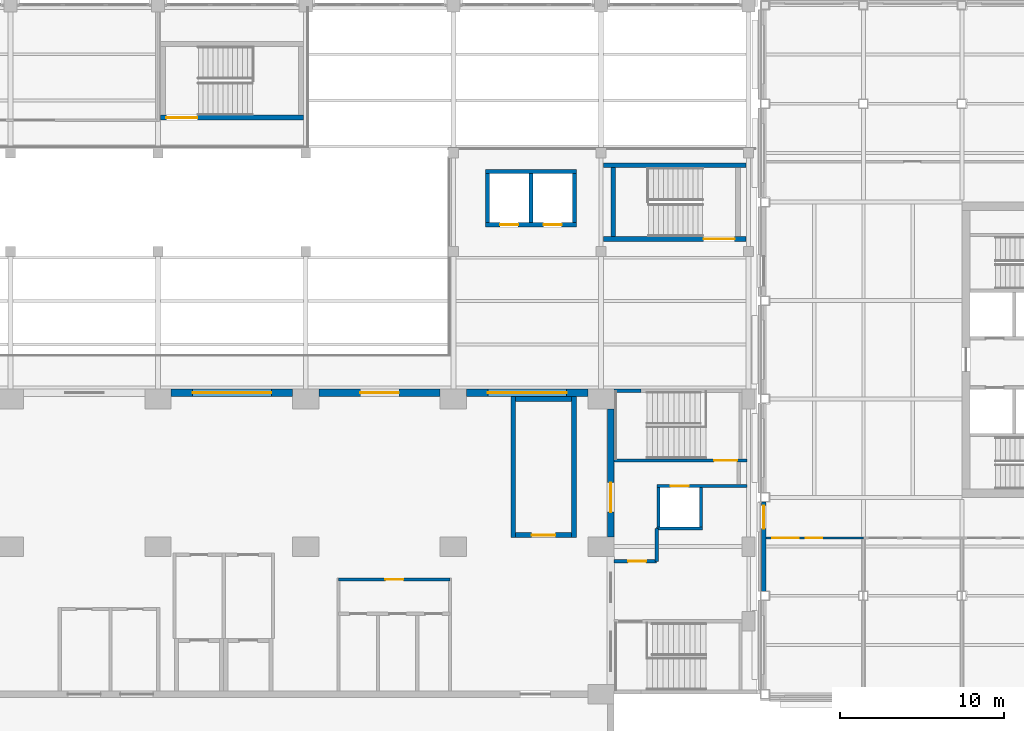
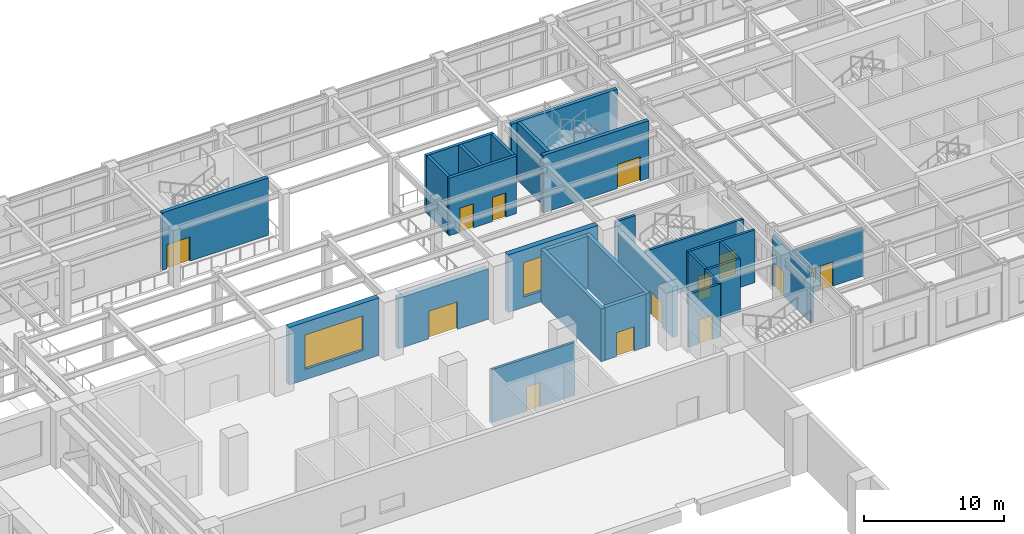
# One storey, part 40 of 76: 28 walls, 13 doors, 3 windows, 16 openings.
"""IFC4 building model written with IfcOpenShell, lengths in metres."""

from ifc_helpers import new_model, si_unit, direction, frame, frame_2d, origin, place, context, subcontext, project, spatial, rectangle, extrude, material, layer, layer_set, type_object, element, fill, save


model = new_model("IFC4")

# Units and contexts
model_context = context("Model", 3, precision=1e-05, world=origin(), true_north=direction((0.0, 1.0)))
body_context = subcontext(model_context, "Body", "Model", "MODEL_VIEW")
ifc_project = project(units=[si_unit("LENGTHUNIT", "METRE"), si_unit("AREAUNIT", "SQUARE_METRE"), si_unit("VOLUMEUNIT", "CUBIC_METRE"), si_unit("PLANEANGLEUNIT", "RADIAN"), si_unit("MASSUNIT", "GRAM", prefix="KILO")], contexts=[model_context])

# Site, building, storey
site_placement = place(None, origin())
site = spatial("IfcSite", under=ifc_project, at=site_placement, CompositionType="ELEMENT")
building_placement = place(site_placement, origin())
building = spatial("IfcBuilding", under=site, at=building_placement, Name="Aravalli Gate Trade Fair Centre", CompositionType="ELEMENT")
storey_placement = place(building_placement, frame((0.0, 0.0, 10.0)))
storey = spatial("IfcBuildingStorey", under=building, at=storey_placement, Name="L02", CompositionType="ELEMENT", Elevation=10.0)

# Walls
ifc_material_1 = material(Name="Concrete M40", Category="concrete")
ifc_layer_1 = layer(ifc_material_1, 0.300048828125)
ifc_layer_set_1 = layer_set([ifc_layer_1], Name="Concrete M40")
wall_type_1 = type_object("IfcWallType", Name="Congress RC wall 300", PredefinedType="SHEAR", material=ifc_layer_set_1)
for number, where, z_axis, x_axis, name in (
    (1, (144.64990234375, 100.550048828125, 0.0), (0.0, 0.0, 1.0), (0.0, 1.0, 0.0), "Foyer Stair East wall W L02"),
    (2, (148.35009765625, 100.550048828125, 0.0), (0.0, 0.0, 1.0), (0.0, 1.0, 0.0), "Foyer Stair East wall E L02"),
):
    element("IfcWall", number, at=place(storey_placement, frame(where, z_axis=z_axis, x_axis=x_axis)), inside=storey, type_object=wall_type_1, Name=name, PredefinedType="SHEAR", context=body_context, shape_type="SweptSolid", body=[
        extrude(rectangle(XDim=8.599853515625, YDim=0.300048828125, at=frame_2d((4.2998046875, 0.0))), origin(), (0.0, 0.0, 1.0), 4.60009765625),
    ])

# Wall, opening, door
wall_1_placement = place(storey_placement, frame((144.800048828125, 100.699951171875, 0.0), z_axis=(0.0, 0.0, 1.0), x_axis=(1.0, 0.0, 0.0)))
wall_1 = element("IfcWall", 3, at=wall_1_placement, inside=storey, type_object=wall_type_1, Name="Foyer Stair East wall S L02", PredefinedType="SHEAR", context=body_context, shape_type="SweptSolid", body=[
    extrude(rectangle(XDim=3.39990234375, YDim=0.300048828125, at=frame_2d((1.699951171875, 0.0))), origin(), (0.0, 0.0, 1.0), 4.60009765625),
])
opening_1_placement = place(wall_1_placement, frame((0.97509765625, 0.0, 0.0)))
opening_1 = element("IfcOpeningElement", 4, at=opening_1_placement, cuts=wall_1, Name="Opening G-L02-08", PredefinedType="OPENING", context=body_context, shape_type="SweptSolid", body=[
    extrude(rectangle(XDim=1.449951171875, YDim=2.10009765625, at=frame_2d((0.72509765625, 1.050048828125))), frame((0.0, 0.159912109375, 0.0), z_axis=(0.0, -1.0, 0.0), x_axis=(1.0, 0.0, 0.0)), (0.0, 0.0, 1.0), 0.320068359375),
])
ifc_material_2 = material(Name="Steel, fire rated", Category="steel")
door_type_1 = type_object("IfcDoorType", Name="Congress fire door FD120 1450 x 2100", OperationType="SINGLE_SWING_LEFT", PredefinedType="DOOR", material=ifc_material_2)
door_1_placement = place(opening_1_placement, origin())
door_1 = element("IfcDoor", 5, at=door_1_placement, inside=storey, type_object=door_type_1, Name="Foyer Stair East door L02", OperationType="SINGLE_SWING_LEFT", OverallHeight=2.10009765625, OverallWidth=1.449951171875, PredefinedType="DOOR", context=body_context, shape_type="SweptSolid", body=[
    extrude(rectangle(XDim=1.449951171875, YDim=2.10009765625, at=frame_2d((0.72509765625, 1.050048828125))), frame((0.0, 0.02490234375, 0.0), z_axis=(0.0, -1.0, 0.0), x_axis=(1.0, 0.0, 0.0)), (0.0, 0.0, 1.0), 0.050048828125),
])
fill(opening_1, door_1)

# Wall
wall_2_placement = place(storey_placement, frame((144.800048828125, 109.0, 0.0), z_axis=(0.0, 0.0, 1.0), x_axis=(1.0, 0.0, 0.0)))
element("IfcWall", 6, at=wall_2_placement, inside=storey, type_object=wall_type_1, Name="Foyer Stair East wall N L02", PredefinedType="SHEAR", context=body_context, shape_type="SweptSolid", body=[
    extrude(rectangle(XDim=3.39990234375, YDim=0.300048828125, at=frame_2d((1.699951171875, 0.0))), origin(), (0.0, 0.0, 1.0), 4.60009765625),
])

# Wall, opening, door
ifc_layer_2 = layer(ifc_material_1, 0.25, Name="Structural wall")
ifc_material_3 = material(Name="Ventilated air cavity")
ifc_layer_3 = layer(ifc_material_3, 0.050048828125, ventilated=True, Name="Ventilated cavity")
ifc_material_4 = material(Name="Terracotta rainscreen", Category="masonry")
ifc_layer_4 = layer(ifc_material_4, 0.10009765625, Name="Rainscreen cladding")
ifc_layer_set_2 = layer_set([ifc_layer_2, ifc_layer_3, ifc_layer_4], Name="Congress external wall 400")
wall_type_2 = type_object("IfcWallType", Name="Congress external wall 400", PredefinedType="SOLIDWALL", material=ifc_layer_set_2)
wall_3_placement = place(storey_placement, frame((150.60009765625, 100.60009765625, 0.0), z_axis=(0.0, 0.0, 1.0), x_axis=(0.0, 1.0, 0.0)))
wall_3 = element("IfcWall", 7, at=wall_3_placement, inside=storey, type_object=wall_type_2, Name="East wall L02 bay 7", PredefinedType="SOLIDWALL", context=body_context, shape_type="SweptSolid", body=[
    extrude(rectangle(XDim=7.7998046875, YDim=0.39990234375, at=frame_2d((3.89990234375, 0.0))), origin(), (0.0, 0.0, 1.0), 4.39990234375),
])
opening_2_placement = place(wall_3_placement, frame((1.5, 0.0, 0.0)))
opening_2 = element("IfcOpeningElement", 8, at=opening_2_placement, cuts=wall_3, Name="Opening G-L02-02", PredefinedType="OPENING", context=body_context, shape_type="SweptSolid", body=[
    extrude(rectangle(XDim=1.800048828125, YDim=2.10009765625, at=frame_2d((0.89990234375, 1.050048828125))), frame((0.0, 0.2099609375, 0.0), z_axis=(0.0, -1.0, 0.0), x_axis=(1.0, 0.0, 0.0)), (0.0, 0.0, 1.0), 0.419921875),
])
door_type_2 = type_object("IfcDoorType", Name="Congress fire door FD120 1800 x 2100 double door single swing", OperationType="DOUBLE_DOOR_SINGLE_SWING", PredefinedType="DOOR", material=ifc_material_2)
door_2_placement = place(opening_2_placement, frame((1.800048828125, 0.0, 0.0), z_axis=(0.0, 0.0, 1.0), x_axis=(-1.0, 0.0, 0.0)))
door_2 = element("IfcDoor", 9, at=door_2_placement, inside=storey, type_object=door_type_2, Name="Link door L02 2", OperationType="DOUBLE_DOOR_SINGLE_SWING", OverallHeight=2.10009765625, OverallWidth=1.800048828125, PredefinedType="DOOR", context=body_context, shape_type="SweptSolid", body=[
    extrude(rectangle(XDim=1.800048828125, YDim=2.10009765625, at=frame_2d((0.89990234375, 1.050048828125))), frame((0.0, 0.02490234375, 0.0), z_axis=(0.0, -1.0, 0.0), x_axis=(1.0, 0.0, 0.0)), (0.0, 0.0, 1.0), 0.050048828125),
])
fill(opening_2, door_2)

ifc_material_5 = material(Name="Concrete block masonry", Category="masonry")
ifc_layer_5 = layer(ifc_material_5, 0.199951171875)
ifc_layer_set_3 = layer_set([ifc_layer_5], Name="Concrete block masonry")
wall_type_3 = type_object("IfcWallType", Name="Congress partition 200", PredefinedType="PARTITIONING", material=ifc_layer_set_3)
wall_4_placement = place(storey_placement, frame((134.0, 98.0, 0.0), z_axis=(0.0, 0.0, 1.0), x_axis=(1.0, 0.0, 0.0)))
wall_4 = element("IfcWall", 10, at=wall_4_placement, inside=storey, type_object=wall_type_3, Name="WC block front wall L02", PredefinedType="PARTITIONING", context=body_context, shape_type="SweptSolid", body=[
    extrude(rectangle(XDim=6.800048828125, YDim=0.199951171875, at=frame_2d((3.39990234375, 0.0))), origin(), (0.0, 0.0, 1.0), 4.60009765625),
])
opening_3_placement = place(wall_4_placement, frame((2.85009765625, 0.0, 0.0)))
opening_3 = element("IfcOpeningElement", 11, at=opening_3_placement, cuts=wall_4, Name="Opening G-L02-13", PredefinedType="OPENING", context=body_context, shape_type="SweptSolid", body=[
    extrude(rectangle(XDim=1.10009765625, YDim=2.10009765625, at=frame_2d((0.550048828125, 1.050048828125))), frame((0.0, 0.10986328125, 0.0), z_axis=(0.0, -1.0, 0.0), x_axis=(1.0, 0.0, 0.0)), (0.0, 0.0, 1.0), 0.219970703125),
])
door_type_3 = type_object("IfcDoorType", Name="Congress fire door FD60 1100 x 2100", OperationType="SINGLE_SWING_LEFT", PredefinedType="DOOR", material=ifc_material_2)
door_3_placement = place(opening_3_placement, origin())
door_3 = element("IfcDoor", 12, at=door_3_placement, inside=storey, type_object=door_type_3, Name="WC anteroom door L02", OperationType="SINGLE_SWING_LEFT", OverallHeight=2.10009765625, OverallWidth=1.10009765625, PredefinedType="DOOR", context=body_context, shape_type="SweptSolid", body=[
    extrude(rectangle(XDim=1.10009765625, YDim=2.10009765625, at=frame_2d((0.550048828125, 1.050048828125))), frame((0.0, 0.02490234375, 0.0), z_axis=(0.0, -1.0, 0.0), x_axis=(1.0, 0.0, 0.0)), (0.0, 0.0, 1.0), 0.050048828125),
])
fill(opening_3, door_3)

# Wall, opening, window
ifc_layer_6 = layer(ifc_material_1, 0.449951171875)
ifc_layer_set_4 = layer_set([ifc_layer_6], Name="Concrete M40")
wall_type_4 = type_object("IfcWallType", Name="Congress party wall 450", PredefinedType="SOLIDWALL", material=ifc_layer_set_4)
wall_5_placement = place(storey_placement, frame((123.800048828125, 109.375, 0.0), z_axis=(0.0, 0.0, 1.0), x_axis=(1.0, 0.0, 0.0)))
wall_5 = element("IfcWall", 13, at=wall_5_placement, inside=storey, type_object=wall_type_4, Name="North wall L02 bay 3", PredefinedType="SOLIDWALL", context=body_context, shape_type="SweptSolid", body=[
    extrude(rectangle(XDim=7.39990234375, YDim=0.449951171875, at=frame_2d((3.699951171875, 0.0))), origin(), (0.0, 0.0, 1.0), 5.0),
])
opening_4_placement = place(wall_5_placement, frame((1.300048828125, 0.0, 0.89990234375)))
opening_4 = element("IfcOpeningElement", 14, at=opening_4_placement, cuts=wall_5, Name="Opening GWN3", PredefinedType="OPENING", context=body_context, shape_type="SweptSolid", body=[
    extrude(rectangle(XDim=4.800048828125, YDim=3.0, at=frame_2d((2.39990234375, 1.5))), frame((0.0, 0.23486328125, 0.0), z_axis=(0.0, -1.0, 0.0), x_axis=(1.0, 0.0, 0.0)), (0.0, 0.0, 1.0), 0.469970703125),
])
ifc_material_6 = material(Name="Aluminium and glass", Category="aluminium")
window_type_1 = type_object("IfcWindowType", Name="Congress foyer window 4800 x 3000", PartitioningType="SINGLE_PANEL", PredefinedType="WINDOW", material=ifc_material_6)
window_1_placement = place(opening_4_placement, origin())
window_1 = element("IfcWindow", 15, at=window_1_placement, inside=storey, type_object=window_type_1, Name="Foyer window L02 bay 3", OverallHeight=3.0, OverallWidth=4.800048828125, PartitioningType="SINGLE_PANEL", PredefinedType="WINDOW", context=body_context, shape_type="SweptSolid", body=[
    extrude(rectangle(XDim=4.800048828125, YDim=3.0, at=frame_2d((2.39990234375, 1.5))), frame((0.0, 0.030029296875, 0.0), z_axis=(0.0, -1.0, 0.0), x_axis=(1.0, 0.0, 0.0)), (0.0, 0.0, 1.0), 0.06005859375),
])
fill(opening_4, window_1)

# Wall, opening, door
wall_6_placement = place(storey_placement, frame((132.800048828125, 109.375, 0.0), z_axis=(0.0, 0.0, 1.0), x_axis=(1.0, 0.0, 0.0)))
wall_6 = element("IfcWall", 16, at=wall_6_placement, inside=storey, type_object=wall_type_4, Name="North wall L02 bay 4", PredefinedType="SOLIDWALL", context=body_context, shape_type="SweptSolid", body=[
    extrude(rectangle(XDim=7.39990234375, YDim=0.449951171875, at=frame_2d((3.699951171875, 0.0))), origin(), (0.0, 0.0, 1.0), 4.39990234375),
])
opening_5_placement = place(wall_6_placement, frame((2.52490234375, 0.0, 0.0)))
opening_5 = element("IfcOpeningElement", 17, at=opening_5_placement, cuts=wall_6, Name="Opening G-L02-04", PredefinedType="OPENING", context=body_context, shape_type="SweptSolid", body=[
    extrude(rectangle(XDim=2.35009765625, YDim=2.39990234375, at=frame_2d((1.175048828125, 1.199951171875))), frame((0.0, 0.23486328125, 0.0), z_axis=(0.0, -1.0, 0.0), x_axis=(1.0, 0.0, 0.0)), (0.0, 0.0, 1.0), 0.469970703125),
])
door_type_4 = type_object("IfcDoorType", Name="Congress glazed entrance door 2350 x 2400 double door single swing", OperationType="DOUBLE_DOOR_SINGLE_SWING", PredefinedType="DOOR", material=ifc_material_6)
door_4_placement = place(opening_5_placement, origin())
door_4 = element("IfcDoor", 18, at=door_4_placement, inside=storey, type_object=door_type_4, Name="Foyer gallery door L02 3", OperationType="DOUBLE_DOOR_SINGLE_SWING", OverallHeight=2.39990234375, OverallWidth=2.35009765625, PredefinedType="DOOR", context=body_context, shape_type="SweptSolid", body=[
    extrude(rectangle(XDim=2.35009765625, YDim=2.39990234375, at=frame_2d((1.175048828125, 1.199951171875))), frame((0.0, 0.02490234375, 0.0), z_axis=(0.0, -1.0, 0.0), x_axis=(1.0, 0.0, 0.0)), (0.0, 0.0, 1.0), 0.050048828125),
])
fill(opening_5, door_4)

# Wall, opening, window
wall_7_placement = place(storey_placement, frame((141.800048828125, 109.375, 0.0), z_axis=(0.0, 0.0, 1.0), x_axis=(1.0, 0.0, 0.0)))
wall_7 = element("IfcWall", 19, at=wall_7_placement, inside=storey, type_object=wall_type_4, Name="North wall L02 bay 5", PredefinedType="SOLIDWALL", context=body_context, shape_type="SweptSolid", body=[
    extrude(rectangle(XDim=7.39990234375, YDim=0.449951171875, at=frame_2d((3.699951171875, 0.0))), origin(), (0.0, 0.0, 1.0), 5.0),
])
opening_6_placement = place(wall_7_placement, frame((1.300048828125, 0.0, 0.89990234375)))
opening_6 = element("IfcOpeningElement", 20, at=opening_6_placement, cuts=wall_7, Name="Opening GWN3", PredefinedType="OPENING", context=body_context, shape_type="SweptSolid", body=[
    extrude(rectangle(XDim=4.800048828125, YDim=3.0, at=frame_2d((2.39990234375, 1.5))), frame((0.0, 0.23486328125, 0.0), z_axis=(0.0, -1.0, 0.0), x_axis=(1.0, 0.0, 0.0)), (0.0, 0.0, 1.0), 0.469970703125),
])
window_2_placement = place(opening_6_placement, origin())
window_2 = element("IfcWindow", 21, at=window_2_placement, inside=storey, type_object=window_type_1, Name="Foyer window L02 bay 5", OverallHeight=3.0, OverallWidth=4.800048828125, PartitioningType="SINGLE_PANEL", PredefinedType="WINDOW", context=body_context, shape_type="SweptSolid", body=[
    extrude(rectangle(XDim=4.800048828125, YDim=3.0, at=frame_2d((2.39990234375, 1.5))), frame((0.0, 0.030029296875, 0.0), z_axis=(0.0, -1.0, 0.0), x_axis=(1.0, 0.0, 0.0)), (0.0, 0.0, 1.0), 0.06005859375),
])
fill(opening_6, window_2)

# Wall
ifc_material_7 = material(Name="Concrete M30", Category="concrete")
ifc_layer_7 = layer(ifc_material_7, 0.2099609375, Name="Reinforced concrete")
ifc_material_8 = material(Name="Terracotta cladding", Category="masonry")
ifc_layer_8 = layer(ifc_material_8, 0.0400390625, Name="Terracotta cladding")
ifc_layer_set_5 = layer_set([ifc_layer_7, ifc_layer_8], Name="Link external wall 250")
wall_type_5 = type_object("IfcWallType", Name="Link external wall 250", PredefinedType="SOLIDWALL", material=ifc_layer_set_5)
wall_8_placement = place(storey_placement, frame((150.800048828125, 109.5, 0.0), z_axis=(0.0, 0.0, 1.0), x_axis=(1.0, 0.0, 0.0)))
element("IfcWall", 22, at=wall_8_placement, inside=storey, type_object=wall_type_5, Name="Link wall N1 L02", PredefinedType="SOLIDWALL", context=body_context, shape_type="SweptSolid", body=[
    extrude(rectangle(XDim=1.64990234375, YDim=0.199951171875, at=frame_2d((0.824951171875, 0.0))), origin(), (0.0, 0.0, 1.0), 4.590087890625),
])

# Wall, opening, door
ifc_layer_9 = layer(ifc_material_7, 0.199951171875)
ifc_layer_set_6 = layer_set([ifc_layer_9], Name="Concrete M30")
wall_type_6 = type_object("IfcWallType", Name="Link stair enclosure 200", PredefinedType="SOLIDWALL", material=ifc_layer_set_6)
wall_9_placement = place(storey_placement, frame((150.800048828125, 105.25, 0.0), z_axis=(0.0, 0.0, 1.0), x_axis=(1.0, 0.0, 0.0)))
wall_9 = element("IfcWall", 23, at=wall_9_placement, inside=storey, type_object=wall_type_6, Name="Link wall LBS L02", PredefinedType="SOLIDWALL", context=body_context, shape_type="SweptSolid", body=[
    extrude(rectangle(XDim=8.094970703125, YDim=0.199951171875, at=frame_2d((4.04736328125, 0.0))), origin(), (0.0, 0.0, 1.0), 4.590087890625),
])
opening_7_placement = place(wall_9_placement, frame((6.10009765625, 0.0, 0.0)))
opening_7 = element("IfcOpeningElement", 24, at=opening_7_placement, cuts=wall_9, Name="Opening T-L02-192", PredefinedType="OPENING", context=body_context, shape_type="SweptSolid", body=[
    extrude(rectangle(XDim=1.39990234375, YDim=2.10009765625, at=frame_2d((0.699951171875, 1.050048828125))), frame((0.0, 0.10986328125, 0.0), z_axis=(0.0, -1.0, 0.0), x_axis=(1.0, 0.0, 0.0)), (0.0, 0.0, 1.0), 0.219970703125),
])
door_type_5 = type_object("IfcDoorType", Name="Wing fire door FD120 1400 x 2100", OperationType="DOUBLE_DOOR_SINGLE_SWING", PredefinedType="DOOR", material=ifc_material_2)
door_5_placement = place(opening_7_placement, origin())
door_5 = element("IfcDoor", 25, at=door_5_placement, inside=storey, type_object=door_type_5, Name="Link door T-L02-192", OperationType="DOUBLE_DOOR_SINGLE_SWING", OverallHeight=2.10009765625, OverallWidth=1.39990234375, PredefinedType="DOOR", context=body_context, shape_type="SweptSolid", body=[
    extrude(rectangle(XDim=1.39990234375, YDim=2.10009765625, at=frame_2d((0.699951171875, 1.050048828125))), frame((0.0, 0.02490234375, 0.0), z_axis=(0.0, -1.0, 0.0), x_axis=(1.0, 0.0, 0.0)), (0.0, 0.0, 1.0), 0.050048828125),
])
fill(opening_7, door_5)

wall_10_placement = place(storey_placement, frame((153.39990234375, 103.699951171875, 0.0), z_axis=(0.0, 0.0, 1.0), x_axis=(1.0, 0.0, 0.0)))
wall_10 = element("IfcWall", 26, at=wall_10_placement, inside=storey, type_object=wall_type_6, Name="Link wall FHS L02", PredefinedType="SOLIDWALL", context=body_context, shape_type="SweptSolid", body=[
    extrude(rectangle(XDim=5.4951171875, YDim=0.199951171875, at=frame_2d((2.74755859375, 0.0))), origin(), (0.0, 0.0, 1.0), 4.590087890625),
])
opening_8_placement = place(wall_10_placement, frame((0.85009765625, 0.0, 0.0)))
opening_8 = element("IfcOpeningElement", 27, at=opening_8_placement, cuts=wall_10, Name="Opening T-L02-194", PredefinedType="OPENING", context=body_context, shape_type="SweptSolid", body=[
    extrude(rectangle(XDim=1.10009765625, YDim=2.10009765625, at=frame_2d((0.550048828125, 1.050048828125))), frame((0.0, 0.10986328125, 0.0), z_axis=(0.0, -1.0, 0.0), x_axis=(1.0, 0.0, 0.0)), (0.0, 0.0, 1.0), 0.219970703125),
])
ifc_material_9 = material(Name="Elevator door panels")
door_type_6 = type_object("IfcDoorType", Name="Wing lift landing door 1100 x 2100", OperationType="SLIDING_TO_LEFT", PredefinedType="DOOR", material=ifc_material_9)
door_6_placement = place(opening_8_placement, origin())
door_6 = element("IfcDoor", 28, at=door_6_placement, inside=storey, type_object=door_type_6, Name="Landing door T-L02-194", OperationType="SLIDING_TO_LEFT", OverallHeight=2.10009765625, OverallWidth=1.10009765625, PredefinedType="DOOR", context=body_context, shape_type="SweptSolid", body=[
    extrude(rectangle(XDim=1.10009765625, YDim=2.10009765625, at=frame_2d((0.550048828125, 1.050048828125))), frame((0.0, 0.02490234375, 0.0), z_axis=(0.0, -1.0, 0.0), x_axis=(1.0, 0.0, 0.0)), (0.0, 0.0, 1.0), 0.050048828125),
])
fill(opening_8, door_6)

wall_11_placement = place(storey_placement, frame((150.800048828125, 99.10009765625, 0.0), z_axis=(0.0, 0.0, 1.0), x_axis=(1.0, 0.0, 0.0)))
wall_11 = element("IfcWall", 29, at=wall_11_placement, inside=storey, type_object=wall_type_6, Name="Link wall FHA L02", PredefinedType="SOLIDWALL", context=body_context, shape_type="SweptSolid", body=[
    extrude(rectangle(XDim=2.599853515625, YDim=0.199951171875, at=frame_2d((1.2998046875, 0.0))), origin(), (0.0, 0.0, 1.0), 4.590087890625),
])
opening_9_placement = place(wall_11_placement, frame((0.85009765625, 0.0, 0.0)))
opening_9 = element("IfcOpeningElement", 30, at=opening_9_placement, cuts=wall_11, Name="Opening T-L02-193", PredefinedType="OPENING", context=body_context, shape_type="SweptSolid", body=[
    extrude(rectangle(XDim=1.10009765625, YDim=2.10009765625, at=frame_2d((0.550048828125, 1.050048828125))), frame((0.0, 0.10986328125, 0.0), z_axis=(0.0, -1.0, 0.0), x_axis=(1.0, 0.0, 0.0)), (0.0, 0.0, 1.0), 0.219970703125),
])
door_type_7 = type_object("IfcDoorType", Name="Wing fire door FD120 1100 x 2100", OperationType="SINGLE_SWING_LEFT", PredefinedType="DOOR", material=ifc_material_2)
door_7_placement = place(opening_9_placement, origin())
door_7 = element("IfcDoor", 31, at=door_7_placement, inside=storey, type_object=door_type_7, Name="Firefighting lobby door T-L02-193", OperationType="SINGLE_SWING_RIGHT", OverallHeight=2.10009765625, OverallWidth=1.10009765625, PredefinedType="DOOR", context=body_context, shape_type="SweptSolid", body=[
    extrude(rectangle(XDim=1.10009765625, YDim=2.10009765625, at=frame_2d((0.550048828125, 1.050048828125))), frame((0.0, 0.02490234375, 0.0), z_axis=(0.0, -1.0, 0.0), x_axis=(1.0, 0.0, 0.0)), (0.0, 0.0, 1.0), 0.050048828125),
])
fill(opening_9, door_7)

# Walls
wall_12_placement = place(storey_placement, frame((153.39990234375, 99.10009765625, 0.0), z_axis=(0.0, 0.0, 1.0), x_axis=(0.0, 1.0, 0.0)))
element("IfcWall", 32, at=wall_12_placement, inside=storey, type_object=wall_type_6, Name="Link wall FHC L02", PredefinedType="SOLIDWALL", context=body_context, shape_type="SweptSolid", body=[
    extrude(rectangle(XDim=2.0, YDim=0.199951171875, at=frame_2d((1.0, 0.0))), origin(), (0.0, 0.0, 1.0), 4.590087890625),
])
for number, where, z_axis, x_axis, name in (
    (33, (153.5, 101.199951171875, 0.0), (0.0, 0.0, 1.0), (0.0, 1.0, 0.0), "Link wall FHW L02"),
    (34, (156.10009765625, 101.199951171875, 0.0), (0.0, 0.0, 1.0), (0.0, 1.0, 0.0), "Link wall FHX L02"),
):
    element("IfcWall", number, at=place(storey_placement, frame(where, z_axis=z_axis, x_axis=x_axis)), inside=storey, type_object=wall_type_6, Name=name, PredefinedType="SOLIDWALL", context=body_context, shape_type="SweptSolid", body=[
        extrude(rectangle(XDim=2.400146484375, YDim=0.199951171875, at=frame_2d((1.2001953125, 0.0))), origin(), (0.0, 0.0, 1.0), 4.590087890625),
    ])
wall_13_placement = place(storey_placement, frame((153.39990234375, 101.10009765625, 0.0), z_axis=(0.0, 0.0, 1.0), x_axis=(1.0, 0.0, 0.0)))
element("IfcWall", 35, at=wall_13_placement, inside=storey, type_object=wall_type_6, Name="Link wall FHB L02", PredefinedType="SOLIDWALL", context=body_context, shape_type="SweptSolid", body=[
    extrude(rectangle(XDim=2.800048828125, YDim=0.199951171875, at=frame_2d((1.39990234375, 0.0))), origin(), (0.0, 0.0, 1.0), 4.590087890625),
])

# Wall, openings, doors
ifc_layer_10 = layer(ifc_material_1, 0.25)
ifc_layer_set_7 = layer_set([ifc_layer_10], Name="Concrete M40")
wall_type_7 = type_object("IfcWallType", Name="RC core wall 250", PredefinedType="SHEAR", material=ifc_layer_set_7)
wall_14_placement = place(storey_placement, frame((142.949951171875, 119.625, 0.0), z_axis=(0.0, 0.0, 1.0), x_axis=(1.0, 0.0, 0.0)))
wall_14 = element("IfcWall", 36, at=wall_14_placement, inside=storey, type_object=wall_type_7, Name="Core wall ELS L02", PredefinedType="SHEAR", context=body_context, shape_type="SweptSolid", body=[
    extrude(rectangle(XDim=5.550048828125, YDim=0.25, at=frame_2d((2.77490234375, 0.0))), origin(), (0.0, 0.0, 1.0), 5.0),
])
opening_10_placement = place(wall_14_placement, frame((0.89990234375, 0.0, 0.0)))
opening_10 = element("IfcOpeningElement", 37, at=opening_10_placement, cuts=wall_14, Name="Opening C-L02-05", PredefinedType="OPENING", context=body_context, shape_type="SweptSolid", body=[
    extrude(rectangle(XDim=1.10009765625, YDim=2.10009765625, at=frame_2d((0.550048828125, 1.050048828125))), frame((0.0, 0.135009765625, 0.0), z_axis=(0.0, -1.0, 0.0), x_axis=(1.0, 0.0, 0.0)), (0.0, 0.0, 1.0), 0.27001953125),
])
opening_11_placement = place(wall_14_placement, frame((3.550048828125, 0.0, 0.0)))
opening_11 = element("IfcOpeningElement", 38, at=opening_11_placement, cuts=wall_14, Name="Opening C-L02-06", PredefinedType="OPENING", context=body_context, shape_type="SweptSolid", body=[
    extrude(rectangle(XDim=1.10009765625, YDim=2.10009765625, at=frame_2d((0.550048828125, 1.050048828125))), frame((0.0, 0.135009765625, 0.0), z_axis=(0.0, -1.0, 0.0), x_axis=(1.0, 0.0, 0.0)), (0.0, 0.0, 1.0), 0.27001953125),
])
door_type_8 = type_object("IfcDoorType", Name="Concourse lift landing door 1100 x 2100", OperationType="DOUBLE_DOOR_SLIDING", PredefinedType="NOTDEFINED", material=ifc_material_2)
door_8_placement = place(opening_10_placement, origin())
door_8 = element("IfcDoor", 39, at=door_8_placement, inside=storey, type_object=door_type_8, Name="Lift landing door EL1 L02", OperationType="DOUBLE_DOOR_SLIDING", OverallHeight=2.10009765625, OverallWidth=1.10009765625, PredefinedType="NOTDEFINED", context=body_context, shape_type="SweptSolid", body=[
    extrude(rectangle(XDim=1.10009765625, YDim=2.10009765625, at=frame_2d((0.550048828125, 1.050048828125))), frame((0.0, 0.02490234375, 0.0), z_axis=(0.0, -1.0, 0.0), x_axis=(1.0, 0.0, 0.0)), (0.0, 0.0, 1.0), 0.050048828125),
])
fill(opening_10, door_8)
door_9_placement = place(opening_11_placement, origin())
door_9 = element("IfcDoor", 40, at=door_9_placement, inside=storey, type_object=door_type_8, Name="Lift landing door EL2 L02", OperationType="DOUBLE_DOOR_SLIDING", OverallHeight=2.10009765625, OverallWidth=1.10009765625, PredefinedType="NOTDEFINED", context=body_context, shape_type="SweptSolid", body=[
    extrude(rectangle(XDim=1.10009765625, YDim=2.10009765625, at=frame_2d((0.550048828125, 1.050048828125))), frame((0.0, 0.02490234375, 0.0), z_axis=(0.0, -1.0, 0.0), x_axis=(1.0, 0.0, 0.0)), (0.0, 0.0, 1.0), 0.050048828125),
])
fill(opening_11, door_9)

# Walls
wall_15_placement = place(storey_placement, frame((142.949951171875, 122.875, 0.0), z_axis=(0.0, 0.0, 1.0), x_axis=(1.0, 0.0, 0.0)))
element("IfcWall", 41, at=wall_15_placement, inside=storey, type_object=wall_type_7, Name="Core wall ELN L02", PredefinedType="SHEAR", context=body_context, shape_type="SweptSolid", body=[
    extrude(rectangle(XDim=5.550048828125, YDim=0.25, at=frame_2d((2.77490234375, 0.0))), origin(), (0.0, 0.0, 1.0), 5.0),
])
for number, where, z_axis, x_axis, name in (
    (42, (143.074951171875, 119.75, 0.0), (0.0, 0.0, 1.0), (0.0, 1.0, 0.0), "Core wall ELW L02"),
    (43, (148.375, 119.75, 0.0), (0.0, 0.0, 1.0), (0.0, 1.0, 0.0), "Core wall ELE L02"),
    (44, (145.72509765625, 119.75, 0.0), (0.0, 0.0, 1.0), (0.0, 1.0, 0.0), "Core wall ELM L02"),
):
    element("IfcWall", number, at=place(storey_placement, frame(where, z_axis=z_axis, x_axis=x_axis)), inside=storey, type_object=wall_type_7, Name=name, PredefinedType="SHEAR", context=body_context, shape_type="SweptSolid", body=[
        extrude(rectangle(XDim=3.0, YDim=0.25, at=frame_2d((1.5, 0.0))), origin(), (0.0, 0.0, 1.0), 5.0),
    ])

# Wall, opening, door
ifc_layer_11 = layer(ifc_material_1, 0.300048828125)
ifc_layer_set_8 = layer_set([ifc_layer_11], Name="Concrete M40")
wall_type_8 = type_object("IfcWallType", Name="RC core wall 300", PredefinedType="SHEAR", material=ifc_layer_set_8)
wall_16_placement = place(storey_placement, frame((150.14990234375, 118.75, 0.0), z_axis=(0.0, 0.0, 1.0), x_axis=(1.0, 0.0, 0.0)))
wall_16 = element("IfcWall", 45, at=wall_16_placement, inside=storey, type_object=wall_type_8, Name="Core wall ESS L02", PredefinedType="SHEAR", context=body_context, shape_type="SweptSolid", body=[
    extrude(rectangle(XDim=8.7001953125, YDim=0.300048828125, at=frame_2d((4.35009765625, 0.0))), origin(), (0.0, 0.0, 1.0), 5.0),
])
opening_12_placement = place(wall_16_placement, frame((6.10009765625, 0.0, 0.0)))
opening_12 = element("IfcOpeningElement", 46, at=opening_12_placement, cuts=wall_16, Name="Opening C-L02-04", PredefinedType="OPENING", context=body_context, shape_type="SweptSolid", body=[
    extrude(rectangle(XDim=1.89990234375, YDim=2.10009765625, at=frame_2d((0.949951171875, 1.050048828125))), frame((0.0, 0.159912109375, 0.0), z_axis=(0.0, -1.0, 0.0), x_axis=(1.0, 0.0, 0.0)), (0.0, 0.0, 1.0), 0.320068359375),
])
door_type_9 = type_object("IfcDoorType", Name="Concourse stair door 1900 x 2100", OperationType="DOUBLE_DOOR_SINGLE_SWING", PredefinedType="NOTDEFINED", material=ifc_material_2)
door_10_placement = place(opening_12_placement, frame((1.89990234375, 0.0, 0.0), z_axis=(0.0, 0.0, 1.0), x_axis=(-1.0, 0.0, 0.0)))
door_10 = element("IfcDoor", 47, at=door_10_placement, inside=storey, type_object=door_type_9, Name="Stair door ES L02", OperationType="DOUBLE_DOOR_SINGLE_SWING", OverallHeight=2.10009765625, OverallWidth=1.89990234375, PredefinedType="NOTDEFINED", context=body_context, shape_type="SweptSolid", body=[
    extrude(rectangle(XDim=1.89990234375, YDim=2.10009765625, at=frame_2d((0.949951171875, 1.050048828125))), frame((0.0, 0.02490234375, 0.0), z_axis=(0.0, -1.0, 0.0), x_axis=(1.0, 0.0, 0.0)), (0.0, 0.0, 1.0), 0.050048828125),
])
fill(opening_12, door_10)

# Walls
wall_17_placement = place(storey_placement, frame((150.14990234375, 123.25, 0.0), z_axis=(0.0, 0.0, 1.0), x_axis=(1.0, 0.0, 0.0)))
element("IfcWall", 48, at=wall_17_placement, inside=storey, type_object=wall_type_8, Name="Core wall ESN L02", PredefinedType="SHEAR", context=body_context, shape_type="SweptSolid", body=[
    extrude(rectangle(XDim=8.7001953125, YDim=0.300048828125, at=frame_2d((4.35009765625, 0.0))), origin(), (0.0, 0.0, 1.0), 5.0),
])
wall_18_placement = place(storey_placement, frame((150.75, 118.89990234375, 0.0), z_axis=(0.0, 0.0, 1.0), x_axis=(0.0, 1.0, 0.0)))
element("IfcWall", 49, at=wall_18_placement, inside=storey, type_object=wall_type_8, Name="Core wall ESW L02", PredefinedType="SHEAR", context=body_context, shape_type="SweptSolid", body=[
    extrude(rectangle(XDim=4.2001953125, YDim=0.300048828125, at=frame_2d((2.10009765625, 0.0))), origin(), (0.0, 0.0, 1.0), 5.0),
])

# Wall, opening, door
wall_19_placement = place(storey_placement, frame((123.14990234375, 126.14990234375, 0.0), z_axis=(0.0, 0.0, 1.0), x_axis=(1.0, 0.0, 0.0)))
wall_19 = element("IfcWall", 50, at=wall_19_placement, inside=storey, type_object=wall_type_8, Name="Core wall XES L02", PredefinedType="SHEAR", context=body_context, shape_type="SweptSolid", body=[
    extrude(rectangle(XDim=8.7001953125, YDim=0.300048828125, at=frame_2d((4.35009765625, 0.0))), origin(), (0.0, 0.0, 1.0), 5.0),
])
opening_13_placement = place(wall_19_placement, frame((0.35009765625, 0.0, 0.0)))
opening_13 = element("IfcOpeningElement", 51, at=opening_13_placement, cuts=wall_19, Name="Opening C-L02-11", PredefinedType="OPENING", context=body_context, shape_type="SweptSolid", body=[
    extrude(rectangle(XDim=1.89990234375, YDim=2.10009765625, at=frame_2d((0.949951171875, 1.050048828125))), frame((0.0, 0.159912109375, 0.0), z_axis=(0.0, -1.0, 0.0), x_axis=(1.0, 0.0, 0.0)), (0.0, 0.0, 1.0), 0.320068359375),
])
door_11_placement = place(opening_13_placement, origin())
door_11 = element("IfcDoor", 52, at=door_11_placement, inside=storey, type_object=door_type_9, Name="Stair door XE L02", OperationType="DOUBLE_DOOR_SINGLE_SWING", OverallHeight=2.10009765625, OverallWidth=1.89990234375, PredefinedType="NOTDEFINED", context=body_context, shape_type="SweptSolid", body=[
    extrude(rectangle(XDim=1.89990234375, YDim=2.10009765625, at=frame_2d((0.949951171875, 1.050048828125))), frame((0.0, 0.02490234375, 0.0), z_axis=(0.0, -1.0, 0.0), x_axis=(1.0, 0.0, 0.0)), (0.0, 0.0, 1.0), 0.050048828125),
])
fill(opening_13, door_11)

# Wall, openings, door, window
ifc_material_10 = material(Name="Blockwork with fire-rated lining", Category="masonry")
ifc_layer_12 = layer(ifc_material_10, 0.14990234375)
ifc_layer_set_9 = layer_set([ifc_layer_12], Name="Blockwork with fire-rated lining")
wall_type_9 = type_object("IfcWallType", Name="Wing partition 150 (EI 60, corridor wall)", PredefinedType="PARTITIONING", material=ifc_layer_set_9)
wall_20_placement = place(storey_placement, frame((160.050048828125, 100.52490234375, 0.0), z_axis=(0.0, 0.0, 1.0), x_axis=(1.0, 0.0, 0.0)))
wall_20 = element("IfcWall", 53, at=wall_20_placement, inside=storey, type_object=wall_type_9, Name="Partition SW1 L02", PredefinedType="PARTITIONING", context=body_context, shape_type="SweptSolid", body=[
    extrude(rectangle(XDim=5.949951171875, YDim=0.14990234375, at=frame_2d((2.97509765625, 0.0))), origin(), (0.0, 0.0, 1.0), 4.199951171875),
])
opening_14_placement = place(wall_20_placement, frame((0.39990234375, 0.0, 0.89990234375)))
opening_14 = element("IfcOpeningElement", 54, at=opening_14_placement, cuts=wall_20, Name="Opening TWN2", PredefinedType="OPENING", context=body_context, shape_type="SweptSolid", body=[
    extrude(rectangle(XDim=1.60009765625, YDim=1.199951171875, at=frame_2d((0.800048828125, 0.60009765625))), frame((0.0, 0.0849609375, 0.0), z_axis=(0.0, -1.0, 0.0), x_axis=(1.0, 0.0, 0.0)), (0.0, 0.0, 1.0), 0.169921875),
])
opening_15_placement = place(wall_20_placement, frame((2.4375, 0.0, 0.0)))
opening_15 = element("IfcOpeningElement", 55, at=opening_15_placement, cuts=wall_20, Name="Opening T-L02-141", PredefinedType="OPENING", context=body_context, shape_type="SweptSolid", body=[
    extrude(rectangle(XDim=1.0, YDim=2.10009765625, at=frame_2d((0.5, 1.050048828125))), frame((0.0, 0.0849609375, 0.0), z_axis=(0.0, -1.0, 0.0), x_axis=(1.0, 0.0, 0.0)), (0.0, 0.0, 1.0), 0.169921875),
])
door_type_10 = type_object("IfcDoorType", Name="Wing fire door FD60 1000 x 2100", OperationType="SINGLE_SWING_LEFT", PredefinedType="DOOR", material=ifc_material_2)
door_12_placement = place(opening_15_placement, frame((1.0, 0.0, 0.0), z_axis=(0.0, 0.0, 1.0), x_axis=(-1.0, 0.0, 0.0)))
door_12 = element("IfcDoor", 56, at=door_12_placement, inside=storey, type_object=door_type_10, Name="Door T-L02-141", OperationType="SINGLE_SWING_RIGHT", OverallHeight=2.10009765625, OverallWidth=1.0, PredefinedType="DOOR", context=body_context, shape_type="SweptSolid", body=[
    extrude(rectangle(XDim=1.0, YDim=2.10009765625, at=frame_2d((0.5, 1.050048828125))), frame((0.0, 0.02490234375, 0.0), z_axis=(0.0, -1.0, 0.0), x_axis=(1.0, 0.0, 0.0)), (0.0, 0.0, 1.0), 0.050048828125),
])
fill(opening_15, door_12)
window_type_2 = type_object("IfcWindowType", Name="Wing interior glazed screen 1600 x 1200", PartitioningType="SINGLE_PANEL", PredefinedType="WINDOW", material=ifc_material_6)
window_3_placement = place(opening_14_placement, origin())
window_3 = element("IfcWindow", 57, at=window_3_placement, inside=storey, type_object=window_type_2, Name="Glazed screen T-L02-141", OverallHeight=1.199951171875, OverallWidth=1.60009765625, PartitioningType="SINGLE_PANEL", PredefinedType="WINDOW", context=body_context, shape_type="SweptSolid", body=[
    extrude(rectangle(XDim=1.60009765625, YDim=1.199951171875, at=frame_2d((0.800048828125, 0.60009765625))), frame((0.0, 0.030029296875, 0.0), z_axis=(0.0, -1.0, 0.0), x_axis=(1.0, 0.0, 0.0)), (0.0, 0.0, 1.0), 0.06005859375),
])
fill(opening_14, window_3)

# Wall, opening, door
ifc_layer_13 = layer(ifc_material_5, 0.2099609375, Name="Block masonry")
ifc_layer_14 = layer(ifc_material_8, 0.0400390625, Name="Terracotta cladding")
ifc_layer_set_10 = layer_set([ifc_layer_13, ifc_layer_14], Name="Wing west closing wall 250")
wall_type_10 = type_object("IfcWallType", Name="Wing west closing wall 250", PredefinedType="SOLIDWALL", material=ifc_layer_set_10)
wall_21_placement = place(storey_placement, frame((159.925048828125, 97.27490234375, 0.0), z_axis=(0.0, 0.0, 1.0), x_axis=(0.0, 1.0, 0.0)))
wall_21 = element("IfcWall", 58, at=wall_21_placement, inside=storey, type_object=wall_type_10, Name="Facade wall W1 L02", PredefinedType="SOLIDWALL", context=body_context, shape_type="SweptSolid", body=[
    extrude(rectangle(XDim=5.4501953125, YDim=0.25, at=frame_2d((2.72509765625, 0.0))), origin(), (0.0, 0.0, 1.0), 4.35009765625),
])
opening_16_placement = place(wall_21_placement, frame((3.824951171875, 0.0, 0.0)))
opening_16 = element("IfcOpeningElement", 59, at=opening_16_placement, cuts=wall_21, Name="Opening T-L02-181", PredefinedType="OPENING", context=body_context, shape_type="SweptSolid", body=[
    extrude(rectangle(XDim=1.39990234375, YDim=2.10009765625, at=frame_2d((0.699951171875, 1.050048828125))), frame((0.0, 0.135009765625, 0.0), z_axis=(0.0, -1.0, 0.0), x_axis=(1.0, 0.0, 0.0)), (0.0, 0.0, 1.0), 0.27001953125),
])
door_13_placement = place(opening_16_placement, origin())
door_13 = element("IfcDoor", 60, at=door_13_placement, inside=storey, type_object=door_type_5, Name="Door T-L02-181", OperationType="DOUBLE_DOOR_SINGLE_SWING", OverallHeight=2.10009765625, OverallWidth=1.39990234375, PredefinedType="DOOR", context=body_context, shape_type="SweptSolid", body=[
    extrude(rectangle(XDim=1.39990234375, YDim=2.10009765625, at=frame_2d((0.699951171875, 1.050048828125))), frame((0.0, 0.02490234375, 0.0), z_axis=(0.0, -1.0, 0.0), x_axis=(1.0, 0.0, 0.0)), (0.0, 0.0, 1.0), 0.050048828125),
])
fill(opening_16, door_13)

save(model, "model.ifc")
